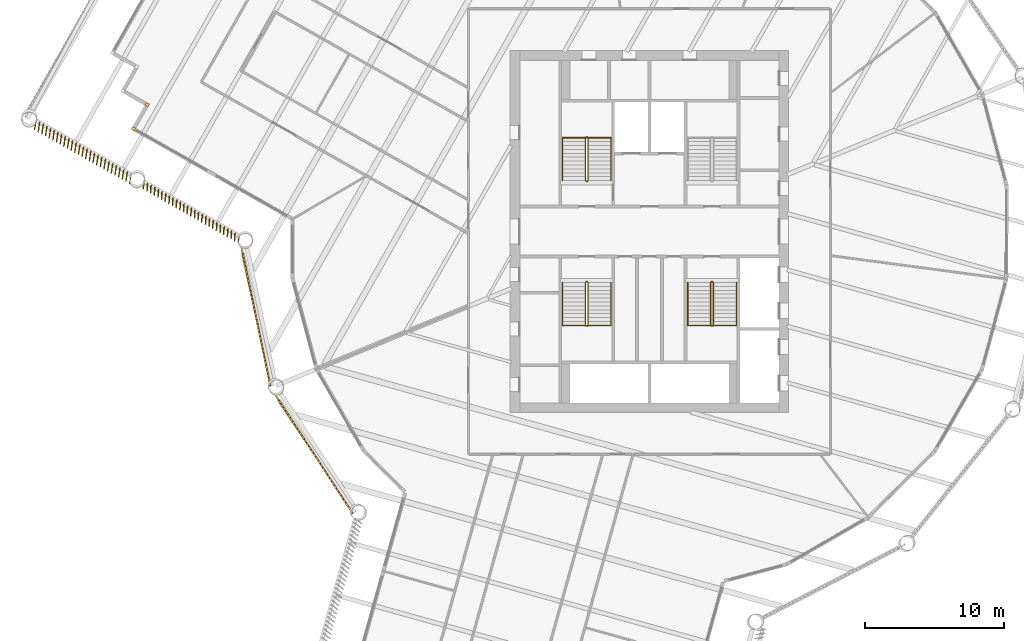
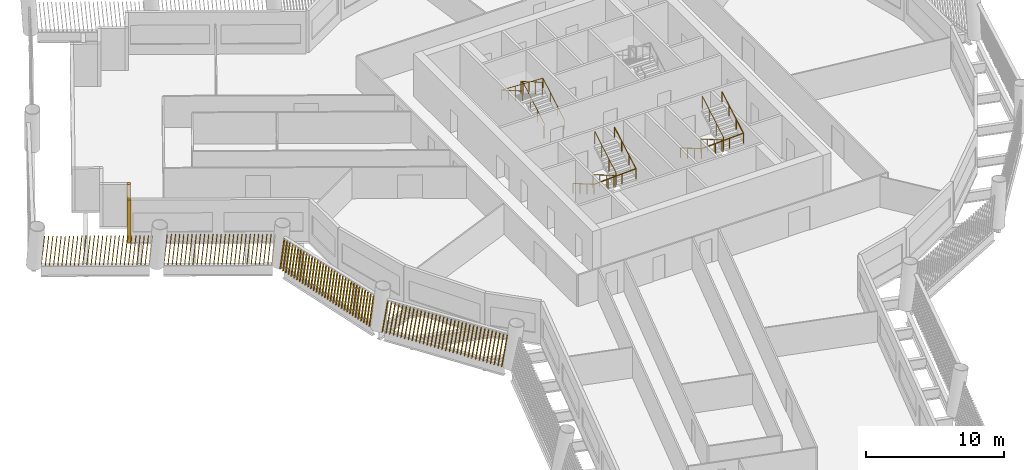
# One storey, part 12 of 15: 6 railings, 6 shading devices.
"""IFC4 building model written with IfcOpenShell, lengths in metres."""

from ifc_helpers import new_model, si_unit, direction, frame, frame_2d, origin, origin_2d, place, context, subcontext, project, spatial, rectangle, circle, composite_profile, extrude, material, type_object, element, save


model = new_model("IFC4")

# Units and contexts
model_context = context("Model", 3, precision=1e-05, world=origin(), true_north=direction((0.0, 1.0)))
body_context = subcontext(model_context, "Body", "Model", "MODEL_VIEW")
ifc_project = project(units=[si_unit("LENGTHUNIT", "METRE"), si_unit("AREAUNIT", "SQUARE_METRE"), si_unit("VOLUMEUNIT", "CUBIC_METRE"), si_unit("PLANEANGLEUNIT", "RADIAN"), si_unit("MASSUNIT", "GRAM", prefix="KILO")], contexts=[model_context])

# Site, building, storey
site_placement = place(None, origin())
site = spatial("IfcSite", under=ifc_project, at=site_placement, CompositionType="ELEMENT")
building_placement = place(site_placement, origin())
building = spatial("IfcBuilding", under=site, at=building_placement, Name="Tarsis Ring Headquarters", CompositionType="ELEMENT")
storey_placement = place(building_placement, frame((0.0, 0.0, 159.300048828125)))
storey = spatial("IfcBuildingStorey", under=building, at=storey_placement, Name="L36", CompositionType="ELEMENT", Elevation=159.300048828125)

# Railings
ifc_material_1 = material(Name="Steel S355", Category="steel")
railing_type_1 = type_object("IfcRailingType", Name="Core stair guard 1100", PredefinedType="GUARDRAIL", material=ifc_material_1)
railing_1_placement = place(storey_placement, frame((-4.5400390625, 3.610107421875, 0.0)))
element("IfcRailing", 1, at=railing_1_placement, inside=storey, type_object=railing_type_1, Name="L36 ST1 stair guard 1", PredefinedType="GUARDRAIL", context=body_context, shape_type="SweptSolid", body=[
    extrude(circle(Radius=0.02392578125, at=origin_2d()), frame((0.0, 0.0, 1.076171875), z_axis=(1.0, 0.0, 0.0), x_axis=(0.0, 1.0, 0.0)), (0.0, 0.0, 1.0), 0.080078125),
    extrude(circle(Radius=0.02392578125, at=origin_2d()), frame((0.080078125, 0.0, 1.076171875), z_axis=(0.282693820306, 0.281314826061, 0.917031173188), x_axis=(-0.705375805398, 0.708833529934, 0.0)), (0.0, 0.0, 1.0), 0.177001953125),
    extrude(circle(Radius=0.02392578125, at=origin_2d()), frame((0.130126953125, 0.0498046875, 1.23828125), z_axis=(0.0, 0.864890721111, 0.501960198159), x_axis=(-1.0, 0.0, 0.0)), (0.0, 0.0, 1.0), 3.561279296875),
    extrude(circle(Radius=0.02392578125, at=origin_2d()), frame((0.130126953125, 3.1298828125, 3.02587890625), z_axis=(-0.707106781187, 0.707106781187, 0.0), x_axis=(-0.707106781187, -0.707106781187, 0.0)), (0.0, 0.0, 1.0), 0.07080078125),
    extrude(circle(Radius=0.02392578125, at=origin_2d()), frame((0.080078125, 3.179931640625, 3.02587890625), z_axis=(-1.0, 0.0, 0.0), x_axis=(0.0, -1.0, 0.0)), (0.0, 0.0, 1.0), 0.080078125),
    extrude(circle(Radius=0.02392578125, at=origin_2d()), frame((0.0, 3.179931640625, 3.02587890625), z_axis=(-0.282227285176, -0.282227285176, 0.916894497205), x_axis=(0.707106781187, -0.707106781187, 0.0)), (0.0, 0.0, 1.0), 0.17724609375),
    extrude(circle(Radius=0.02392578125, at=origin_2d()), frame((-0.050048828125, 3.1298828125, 3.1884765625), z_axis=(0.0, -0.864920483161, 0.501908913857), x_axis=(1.0, 0.0, 0.0)), (0.0, 0.0, 1.0), 3.56103515625),
    extrude(circle(Radius=0.02099609375, at=origin_2d()), origin(), (0.0, 0.0, 1.0), 1.052001953125),
    extrude(circle(Radius=0.02099609375, at=origin_2d()), frame((0.080078125, 0.0, 0.0)), (0.0, 0.0, 1.0), 1.052001953125),
    extrude(circle(Radius=0.02099609375, at=origin_2d()), frame((0.130126953125, 0.0498046875, 0.162353515625)), (0.0, 0.0, 1.0), 1.052001953125),
    extrude(circle(Radius=0.02099609375, at=origin_2d()), frame((0.130126953125, 1.076416015625, 0.75830078125)), (0.0, 0.0, 1.0), 1.052001953125),
    extrude(circle(Radius=0.02099609375, at=origin_2d()), frame((0.130126953125, 2.103271484375, 1.35400390625)), (0.0, 0.0, 1.0), 1.052001953125),
    extrude(circle(Radius=0.02099609375, at=origin_2d()), frame((0.130126953125, 3.1298828125, 1.949951171875)), (0.0, 0.0, 1.0), 1.052001953125),
    extrude(circle(Radius=0.02099609375, at=origin_2d()), frame((0.080078125, 3.179931640625, 1.949951171875)), (0.0, 0.0, 1.0), 1.052001953125),
    extrude(circle(Radius=0.02099609375, at=origin_2d()), frame((0.0, 3.179931640625, 1.949951171875)), (0.0, 0.0, 1.0), 1.052001953125),
    extrude(circle(Radius=0.02099609375, at=origin_2d()), frame((-0.050048828125, 3.1298828125, 2.112548828125)), (0.0, 0.0, 1.0), 1.052001953125),
    extrude(circle(Radius=0.02099609375, at=origin_2d()), frame((-0.050048828125, 2.103271484375, 2.708251953125)), (0.0, 0.0, 1.0), 1.052001953125),
    extrude(circle(Radius=0.02099609375, at=origin_2d()), frame((-0.050048828125, 1.076416015625, 3.30419921875)), (0.0, 0.0, 1.0), 1.052001953125),
    extrude(circle(Radius=0.02099609375, at=origin_2d()), frame((-0.050048828125, 0.0498046875, 3.89990234375)), (0.0, 0.0, 1.0), 1.052001953125),
])
railing_2_placement = place(storey_placement, frame((-4.4599609375, -3.610107421875, 0.0)))
element("IfcRailing", 2, at=railing_2_placement, inside=storey, type_object=railing_type_1, Name="L36 ST3 stair guard 1", PredefinedType="GUARDRAIL", context=body_context, shape_type="SweptSolid", body=[
    extrude(circle(Radius=0.02392578125, at=origin_2d()), frame((0.0, 0.0, 1.076171875), z_axis=(-1.0, 0.0, 0.0), x_axis=(0.0, -1.0, 0.0)), (0.0, 0.0, 1.0), 0.080078125),
    extrude(circle(Radius=0.02392578125, at=origin_2d()), frame((-0.080078125, 0.0, 1.076171875), z_axis=(-0.282693820306, -0.281314826061, 0.917031173188), x_axis=(0.705375805398, -0.708833529934, 0.0)), (0.0, 0.0, 1.0), 0.177001953125),
    extrude(circle(Radius=0.02392578125, at=origin_2d()), frame((-0.130126953125, -0.0498046875, 1.23828125), z_axis=(0.0, -0.864890721111, 0.501960198159), x_axis=(1.0, 0.0, 0.0)), (0.0, 0.0, 1.0), 3.561279296875),
    extrude(circle(Radius=0.02392578125, at=origin_2d()), frame((-0.130126953125, -3.1298828125, 3.02587890625), z_axis=(0.707106781187, -0.707106781187, 0.0), x_axis=(0.707106781187, 0.707106781187, 0.0)), (0.0, 0.0, 1.0), 0.07080078125),
    extrude(circle(Radius=0.02392578125, at=origin_2d()), frame((-0.080078125, -3.179931640625, 3.02587890625), z_axis=(1.0, 0.0, 0.0), x_axis=(0.0, 1.0, 0.0)), (0.0, 0.0, 1.0), 0.080078125),
    extrude(circle(Radius=0.02392578125, at=origin_2d()), frame((0.0, -3.179931640625, 3.02587890625), z_axis=(0.282227285176, 0.282227285176, 0.916894497205), x_axis=(-0.707106781187, 0.707106781187, 0.0)), (0.0, 0.0, 1.0), 0.17724609375),
    extrude(circle(Radius=0.02392578125, at=origin_2d()), frame((0.050048828125, -3.1298828125, 3.1884765625), z_axis=(0.0, 0.864920483161, 0.501908913857), x_axis=(-1.0, 0.0, 0.0)), (0.0, 0.0, 1.0), 3.56103515625),
    extrude(circle(Radius=0.02099609375, at=origin_2d()), origin(), (0.0, 0.0, 1.0), 1.052001953125),
    extrude(circle(Radius=0.02099609375, at=origin_2d()), frame((-0.080078125, 0.0, 0.0)), (0.0, 0.0, 1.0), 1.052001953125),
    extrude(circle(Radius=0.02099609375, at=origin_2d()), frame((-0.130126953125, -0.0498046875, 0.162353515625)), (0.0, 0.0, 1.0), 1.052001953125),
    extrude(circle(Radius=0.02099609375, at=origin_2d()), frame((-0.130126953125, -1.076416015625, 0.75830078125)), (0.0, 0.0, 1.0), 1.052001953125),
    extrude(circle(Radius=0.02099609375, at=origin_2d()), frame((-0.130126953125, -2.103271484375, 1.35400390625)), (0.0, 0.0, 1.0), 1.052001953125),
    extrude(circle(Radius=0.02099609375, at=origin_2d()), frame((-0.130126953125, -3.1298828125, 1.949951171875)), (0.0, 0.0, 1.0), 1.052001953125),
    extrude(circle(Radius=0.02099609375, at=origin_2d()), frame((-0.080078125, -3.179931640625, 1.949951171875)), (0.0, 0.0, 1.0), 1.052001953125),
    extrude(circle(Radius=0.02099609375, at=origin_2d()), frame((0.0, -3.179931640625, 1.949951171875)), (0.0, 0.0, 1.0), 1.052001953125),
    extrude(circle(Radius=0.02099609375, at=origin_2d()), frame((0.050048828125, -3.1298828125, 2.112548828125)), (0.0, 0.0, 1.0), 1.052001953125),
    extrude(circle(Radius=0.02099609375, at=origin_2d()), frame((0.050048828125, -2.103271484375, 2.708251953125)), (0.0, 0.0, 1.0), 1.052001953125),
    extrude(circle(Radius=0.02099609375, at=origin_2d()), frame((0.050048828125, -1.076416015625, 3.30419921875)), (0.0, 0.0, 1.0), 1.052001953125),
    extrude(circle(Radius=0.02099609375, at=origin_2d()), frame((0.050048828125, -0.0498046875, 3.89990234375)), (0.0, 0.0, 1.0), 1.052001953125),
])
railing_3_placement = place(storey_placement, frame((4.5400390625, -3.610107421875, 0.0)))
element("IfcRailing", 3, at=railing_3_placement, inside=storey, type_object=railing_type_1, Name="L36 ST4 stair guard 1", PredefinedType="GUARDRAIL", context=body_context, shape_type="SweptSolid", body=[
    extrude(circle(Radius=0.02392578125, at=origin_2d()), frame((0.0, 0.0, 1.076171875), z_axis=(-1.0, 0.0, 0.0), x_axis=(0.0, -1.0, 0.0)), (0.0, 0.0, 1.0), 0.080078125),
    extrude(circle(Radius=0.02392578125, at=origin_2d()), frame((-0.080078125, 0.0, 1.076171875), z_axis=(-0.282693820306, -0.281314826061, 0.917031173188), x_axis=(0.705375805398, -0.708833529934, 0.0)), (0.0, 0.0, 1.0), 0.177001953125),
    extrude(circle(Radius=0.02392578125, at=origin_2d()), frame((-0.130126953125, -0.0498046875, 1.23828125), z_axis=(0.0, -0.864890721111, 0.501960198159), x_axis=(1.0, 0.0, 0.0)), (0.0, 0.0, 1.0), 3.561279296875),
    extrude(circle(Radius=0.02392578125, at=origin_2d()), frame((-0.130126953125, -3.1298828125, 3.02587890625), z_axis=(0.707106781187, -0.707106781187, 0.0), x_axis=(0.707106781187, 0.707106781187, 0.0)), (0.0, 0.0, 1.0), 0.07080078125),
    extrude(circle(Radius=0.02392578125, at=origin_2d()), frame((-0.080078125, -3.179931640625, 3.02587890625), z_axis=(1.0, 0.0, 0.0), x_axis=(0.0, 1.0, 0.0)), (0.0, 0.0, 1.0), 0.080078125),
    extrude(circle(Radius=0.02392578125, at=origin_2d()), frame((0.0, -3.179931640625, 3.02587890625), z_axis=(0.282227285176, 0.282227285176, 0.916894497205), x_axis=(-0.707106781187, 0.707106781187, 0.0)), (0.0, 0.0, 1.0), 0.17724609375),
    extrude(circle(Radius=0.02392578125, at=origin_2d()), frame((0.050048828125, -3.1298828125, 3.1884765625), z_axis=(0.0, 0.864920483161, 0.501908913857), x_axis=(-1.0, 0.0, 0.0)), (0.0, 0.0, 1.0), 3.56103515625),
    extrude(circle(Radius=0.02099609375, at=origin_2d()), origin(), (0.0, 0.0, 1.0), 1.052001953125),
    extrude(circle(Radius=0.02099609375, at=origin_2d()), frame((-0.080078125, 0.0, 0.0)), (0.0, 0.0, 1.0), 1.052001953125),
    extrude(circle(Radius=0.02099609375, at=origin_2d()), frame((-0.130126953125, -0.0498046875, 0.162353515625)), (0.0, 0.0, 1.0), 1.052001953125),
    extrude(circle(Radius=0.02099609375, at=origin_2d()), frame((-0.130126953125, -1.076416015625, 0.75830078125)), (0.0, 0.0, 1.0), 1.052001953125),
    extrude(circle(Radius=0.02099609375, at=origin_2d()), frame((-0.130126953125, -2.103271484375, 1.35400390625)), (0.0, 0.0, 1.0), 1.052001953125),
    extrude(circle(Radius=0.02099609375, at=origin_2d()), frame((-0.130126953125, -3.1298828125, 1.949951171875)), (0.0, 0.0, 1.0), 1.052001953125),
    extrude(circle(Radius=0.02099609375, at=origin_2d()), frame((-0.080078125, -3.179931640625, 1.949951171875)), (0.0, 0.0, 1.0), 1.052001953125),
    extrude(circle(Radius=0.02099609375, at=origin_2d()), frame((0.0, -3.179931640625, 1.949951171875)), (0.0, 0.0, 1.0), 1.052001953125),
    extrude(circle(Radius=0.02099609375, at=origin_2d()), frame((0.050048828125, -3.1298828125, 2.112548828125)), (0.0, 0.0, 1.0), 1.052001953125),
    extrude(circle(Radius=0.02099609375, at=origin_2d()), frame((0.050048828125, -2.103271484375, 2.708251953125)), (0.0, 0.0, 1.0), 1.052001953125),
    extrude(circle(Radius=0.02099609375, at=origin_2d()), frame((0.050048828125, -1.076416015625, 3.30419921875)), (0.0, 0.0, 1.0), 1.052001953125),
    extrude(circle(Radius=0.02099609375, at=origin_2d()), frame((0.050048828125, -0.0498046875, 3.89990234375)), (0.0, 0.0, 1.0), 1.052001953125),
])
railing_type_2 = type_object("IfcRailingType", Name="Core stair handrail 900", PredefinedType="HANDRAIL", material=ifc_material_1)
railing_4_placement = place(storey_placement, frame((-2.75, 3.659912109375, 0.162353515625)))
element("IfcRailing", 4, at=railing_4_placement, inside=storey, type_object=railing_type_2, Name="L36 ST1 stair handrail 1", PredefinedType="HANDRAIL", context=body_context, shape_type="SweptSolid", body=[
    extrude(circle(Radius=0.02392578125, at=origin_2d()), frame((0.0, 0.0, 0.8759765625), z_axis=(0.0, 0.864890721111, 0.501960198159), x_axis=(-1.0, 0.0, 0.0)), (0.0, 0.0, 1.0), 3.561279296875),
    extrude(circle(Radius=0.02392578125, at=origin_2d()), frame((0.0, 3.080078125, 2.66357421875), z_axis=(-0.998922641604, 0.0, 0.046406422943), x_axis=(0.0, -1.0, 0.0)), (0.0, 0.0, 1.0), 3.503662109375),
    extrude(circle(Radius=0.02392578125, at=origin_2d()), frame((-3.5, 3.080078125, 2.826171875), z_axis=(0.0, -0.864920483161, 0.501908913857), x_axis=(1.0, 0.0, 0.0)), (0.0, 0.0, 1.0), 3.56103515625),
    extrude(circle(Radius=0.02099609375, at=origin_2d()), origin(), (0.0, 0.0, 1.0), 0.851806640625),
    extrude(circle(Radius=0.02099609375, at=origin_2d()), frame((0.0, 1.026611328125, 0.595947265625)), (0.0, 0.0, 1.0), 0.851806640625),
    extrude(circle(Radius=0.02099609375, at=origin_2d()), frame((0.0, 2.053466796875, 1.191650390625)), (0.0, 0.0, 1.0), 0.851806640625),
    extrude(circle(Radius=0.02099609375, at=origin_2d()), frame((0.0, 3.080078125, 1.78759765625)), (0.0, 0.0, 1.0), 0.851806640625),
    extrude(circle(Radius=0.02099609375, at=origin_2d()), frame((-1.166748046875, 3.080078125, 1.841796875)), (0.0, 0.0, 1.0), 0.851806640625),
    extrude(circle(Radius=0.02099609375, at=origin_2d()), frame((-2.333251953125, 3.080078125, 1.89599609375)), (0.0, 0.0, 1.0), 0.851806640625),
    extrude(circle(Radius=0.02099609375, at=origin_2d()), frame((-3.5, 3.080078125, 1.9501953125)), (0.0, 0.0, 1.0), 0.851806640625),
    extrude(circle(Radius=0.02099609375, at=origin_2d()), frame((-3.5, 2.053466796875, 2.5458984375)), (0.0, 0.0, 1.0), 0.851806640625),
    extrude(circle(Radius=0.02099609375, at=origin_2d()), frame((-3.5, 1.026611328125, 3.141845703125)), (0.0, 0.0, 1.0), 0.851806640625),
    extrude(circle(Radius=0.02099609375, at=origin_2d()), frame((-3.5, 0.0, 3.737548828125)), (0.0, 0.0, 1.0), 0.851806640625),
])
railing_5_placement = place(storey_placement, frame((-6.25, -3.659912109375, 0.162353515625)))
element("IfcRailing", 5, at=railing_5_placement, inside=storey, type_object=railing_type_2, Name="L36 ST3 stair handrail 1", PredefinedType="HANDRAIL", context=body_context, shape_type="SweptSolid", body=[
    extrude(circle(Radius=0.02392578125, at=origin_2d()), frame((0.0, 0.0, 0.8759765625), z_axis=(0.0, -0.864890721111, 0.501960198159), x_axis=(1.0, 0.0, 0.0)), (0.0, 0.0, 1.0), 3.561279296875),
    extrude(circle(Radius=0.02392578125, at=origin_2d()), frame((0.0, -3.080078125, 2.66357421875), z_axis=(0.998922641604, 0.0, 0.046406422943), x_axis=(0.0, 1.0, 0.0)), (0.0, 0.0, 1.0), 3.503662109375),
    extrude(circle(Radius=0.02392578125, at=origin_2d()), frame((3.5, -3.080078125, 2.826171875), z_axis=(0.0, 0.864920483161, 0.501908913857), x_axis=(-1.0, 0.0, 0.0)), (0.0, 0.0, 1.0), 3.56103515625),
    extrude(circle(Radius=0.02099609375, at=origin_2d()), origin(), (0.0, 0.0, 1.0), 0.851806640625),
    extrude(circle(Radius=0.02099609375, at=origin_2d()), frame((0.0, -1.026611328125, 0.595947265625)), (0.0, 0.0, 1.0), 0.851806640625),
    extrude(circle(Radius=0.02099609375, at=origin_2d()), frame((0.0, -2.053466796875, 1.191650390625)), (0.0, 0.0, 1.0), 0.851806640625),
    extrude(circle(Radius=0.02099609375, at=origin_2d()), frame((0.0, -3.080078125, 1.78759765625)), (0.0, 0.0, 1.0), 0.851806640625),
    extrude(circle(Radius=0.02099609375, at=origin_2d()), frame((1.166748046875, -3.080078125, 1.841796875)), (0.0, 0.0, 1.0), 0.851806640625),
    extrude(circle(Radius=0.02099609375, at=origin_2d()), frame((2.333251953125, -3.080078125, 1.89599609375)), (0.0, 0.0, 1.0), 0.851806640625),
    extrude(circle(Radius=0.02099609375, at=origin_2d()), frame((3.5, -3.080078125, 1.9501953125)), (0.0, 0.0, 1.0), 0.851806640625),
    extrude(circle(Radius=0.02099609375, at=origin_2d()), frame((3.5, -2.053466796875, 2.5458984375)), (0.0, 0.0, 1.0), 0.851806640625),
    extrude(circle(Radius=0.02099609375, at=origin_2d()), frame((3.5, -1.026611328125, 3.141845703125)), (0.0, 0.0, 1.0), 0.851806640625),
    extrude(circle(Radius=0.02099609375, at=origin_2d()), frame((3.5, 0.0, 3.737548828125)), (0.0, 0.0, 1.0), 0.851806640625),
])
railing_6_placement = place(storey_placement, frame((2.75, -3.659912109375, 0.162353515625)))
element("IfcRailing", 6, at=railing_6_placement, inside=storey, type_object=railing_type_2, Name="L36 ST4 stair handrail 1", PredefinedType="HANDRAIL", context=body_context, shape_type="SweptSolid", body=[
    extrude(circle(Radius=0.02392578125, at=origin_2d()), frame((0.0, 0.0, 0.8759765625), z_axis=(0.0, -0.864890721111, 0.501960198159), x_axis=(1.0, 0.0, 0.0)), (0.0, 0.0, 1.0), 3.561279296875),
    extrude(circle(Radius=0.02392578125, at=origin_2d()), frame((0.0, -3.080078125, 2.66357421875), z_axis=(0.998922641604, 0.0, 0.046406422943), x_axis=(0.0, 1.0, 0.0)), (0.0, 0.0, 1.0), 3.503662109375),
    extrude(circle(Radius=0.02392578125, at=origin_2d()), frame((3.5, -3.080078125, 2.826171875), z_axis=(0.0, 0.864920483161, 0.501908913857), x_axis=(-1.0, 0.0, 0.0)), (0.0, 0.0, 1.0), 3.56103515625),
    extrude(circle(Radius=0.02099609375, at=origin_2d()), origin(), (0.0, 0.0, 1.0), 0.851806640625),
    extrude(circle(Radius=0.02099609375, at=origin_2d()), frame((0.0, -1.026611328125, 0.595947265625)), (0.0, 0.0, 1.0), 0.851806640625),
    extrude(circle(Radius=0.02099609375, at=origin_2d()), frame((0.0, -2.053466796875, 1.191650390625)), (0.0, 0.0, 1.0), 0.851806640625),
    extrude(circle(Radius=0.02099609375, at=origin_2d()), frame((0.0, -3.080078125, 1.78759765625)), (0.0, 0.0, 1.0), 0.851806640625),
    extrude(circle(Radius=0.02099609375, at=origin_2d()), frame((1.166748046875, -3.080078125, 1.841796875)), (0.0, 0.0, 1.0), 0.851806640625),
    extrude(circle(Radius=0.02099609375, at=origin_2d()), frame((2.333251953125, -3.080078125, 1.89599609375)), (0.0, 0.0, 1.0), 0.851806640625),
    extrude(circle(Radius=0.02099609375, at=origin_2d()), frame((3.5, -3.080078125, 1.9501953125)), (0.0, 0.0, 1.0), 0.851806640625),
    extrude(circle(Radius=0.02099609375, at=origin_2d()), frame((3.5, -2.053466796875, 2.5458984375)), (0.0, 0.0, 1.0), 0.851806640625),
    extrude(circle(Radius=0.02099609375, at=origin_2d()), frame((3.5, -1.026611328125, 3.141845703125)), (0.0, 0.0, 1.0), 0.851806640625),
    extrude(circle(Radius=0.02099609375, at=origin_2d()), frame((3.5, 0.0, 3.737548828125)), (0.0, 0.0, 1.0), 0.851806640625),
])

# Shading devices
ifc_material_2 = material(Name="Terracotta baguette", Category="masonry")
shading_device_type_1 = type_object("IfcShadingDeviceType", Name="Terracotta baguette screen", PredefinedType="USERDEFINED", material=ifc_material_2)
shading_device_1_placement = place(storey_placement, frame((-26.889892578125, -11.7119140625, 0.0), z_axis=(0.0, 0.0, 1.0), x_axis=(0.546483447845, -0.837476577139, 0.0)))
element("IfcShadingDevice", 7, at=shading_device_1_placement, inside=storey, type_object=shading_device_type_1, Name="Baguette screen L36-00", ObjectType="Terracotta baguette screen", PredefinedType="USERDEFINED", context=body_context, shape_type="SweptSolid", body=[
    extrude(composite_profile([rectangle(XDim=0.06005859375, YDim=0.1201171875, at=frame_2d((0.030029296875, 0.0))), rectangle(XDim=0.06005859375, YDim=0.1201171875, at=frame_2d((0.33349609375, 0.0))), rectangle(XDim=0.06005859375, YDim=0.1201171875, at=frame_2d((0.636962890625, 0.0))), rectangle(XDim=0.06005859375, YDim=0.1201171875, at=frame_2d((0.9404296875, 0.0))), rectangle(XDim=0.06005859375, YDim=0.1201171875, at=frame_2d((1.243896484375, 0.0))), rectangle(XDim=0.06005859375, YDim=0.1201171875, at=frame_2d((1.54736328125, 0.0))), rectangle(XDim=0.06005859375, YDim=0.1201171875, at=frame_2d((1.85107421875, 0.0))), rectangle(XDim=0.06005859375, YDim=0.1201171875, at=frame_2d((2.154541015625, 0.0))), rectangle(XDim=0.06005859375, YDim=0.1201171875, at=frame_2d((2.4580078125, 0.0))), rectangle(XDim=0.06005859375, YDim=0.1201171875, at=frame_2d((2.761474609375, 0.0))), rectangle(XDim=0.06005859375, YDim=0.1201171875, at=frame_2d((3.06494140625, 0.0))), rectangle(XDim=0.06005859375, YDim=0.1201171875, at=frame_2d((3.368408203125, 0.0))), rectangle(XDim=0.06005859375, YDim=0.1201171875, at=frame_2d((3.671875, 0.0))), rectangle(XDim=0.06005859375, YDim=0.1201171875, at=frame_2d((3.975341796875, 0.0))), rectangle(XDim=0.06005859375, YDim=0.1201171875, at=frame_2d((4.27880859375, 0.0))), rectangle(XDim=0.06005859375, YDim=0.1201171875, at=frame_2d((4.582275390625, 0.0))), rectangle(XDim=0.06005859375, YDim=0.1201171875, at=frame_2d((4.8857421875, 0.0))), rectangle(XDim=0.06005859375, YDim=0.1201171875, at=frame_2d((5.189453125, 0.0))), rectangle(XDim=0.06005859375, YDim=0.1201171875, at=frame_2d((5.492919921875, 0.0))), rectangle(XDim=0.06005859375, YDim=0.1201171875, at=frame_2d((5.79638671875, 0.0))), rectangle(XDim=0.06005859375, YDim=0.1201171875, at=frame_2d((6.099853515625, 0.0))), rectangle(XDim=0.06005859375, YDim=0.1201171875, at=frame_2d((6.4033203125, 0.0))), rectangle(XDim=0.06005859375, YDim=0.1201171875, at=frame_2d((6.706787109375, 0.0))), rectangle(XDim=0.06005859375, YDim=0.1201171875, at=frame_2d((7.01025390625, 0.0))), rectangle(XDim=0.06005859375, YDim=0.1201171875, at=frame_2d((7.313720703125, 0.0))), rectangle(XDim=0.06005859375, YDim=0.1201171875, at=frame_2d((7.6171875, 0.0))), rectangle(XDim=0.06005859375, YDim=0.1201171875, at=frame_2d((7.920654296875, 0.0))), rectangle(XDim=0.06005859375, YDim=0.1201171875, at=frame_2d((8.224365234375, 0.0))), rectangle(XDim=0.06005859375, YDim=0.1201171875, at=frame_2d((8.52783203125, 0.0))), rectangle(XDim=0.06005859375, YDim=0.1201171875, at=frame_2d((8.831298828125, 0.0))), rectangle(XDim=0.06005859375, YDim=0.1201171875, at=frame_2d((9.134765625, 0.0))), rectangle(XDim=0.06005859375, YDim=0.1201171875, at=frame_2d((9.438232421875, 0.0))), rectangle(XDim=0.06005859375, YDim=0.1201171875, at=frame_2d((9.74169921875, 0.0)))]), origin(), (0.15219383941, 0.001193031596, 0.988349944059), 2.984619140625),
])
shading_device_2_placement = place(storey_placement, frame((-44.095458984375, 7.994384765625, 0.0), z_axis=(0.0, 0.0, 1.0), x_axis=(0.86983656193, -0.49334198412, 0.0)))
element("IfcShadingDevice", 8, at=shading_device_2_placement, inside=storey, type_object=shading_device_type_1, Name="Baguette screen L36-19", ObjectType="Terracotta baguette screen", PredefinedType="USERDEFINED", context=body_context, shape_type="SweptSolid", body=[
    extrude(composite_profile([rectangle(XDim=0.06005859375, YDim=0.1201171875, at=frame_2d((0.030029296875, 0.0))), rectangle(XDim=0.06005859375, YDim=0.1201171875, at=frame_2d((0.33154296875, 0.0))), rectangle(XDim=0.06005859375, YDim=0.1201171875, at=frame_2d((0.63330078125, 0.0))), rectangle(XDim=0.06005859375, YDim=0.1201171875, at=frame_2d((0.934814453125, 0.0))), rectangle(XDim=0.06005859375, YDim=0.1201171875, at=frame_2d((1.236572265625, 0.0))), rectangle(XDim=0.06005859375, YDim=0.1201171875, at=frame_2d((1.5380859375, 0.0))), rectangle(XDim=0.06005859375, YDim=0.1201171875, at=frame_2d((1.83984375, 0.0))), rectangle(XDim=0.06005859375, YDim=0.1201171875, at=frame_2d((2.141357421875, 0.0))), rectangle(XDim=0.06005859375, YDim=0.1201171875, at=frame_2d((2.443115234375, 0.0))), rectangle(XDim=0.06005859375, YDim=0.1201171875, at=frame_2d((2.74462890625, 0.0))), rectangle(XDim=0.06005859375, YDim=0.1201171875, at=frame_2d((3.04638671875, 0.0))), rectangle(XDim=0.06005859375, YDim=0.1201171875, at=frame_2d((3.347900390625, 0.0))), rectangle(XDim=0.06005859375, YDim=0.1201171875, at=frame_2d((3.649658203125, 0.0))), rectangle(XDim=0.06005859375, YDim=0.1201171875, at=frame_2d((3.951171875, 0.0))), rectangle(XDim=0.06005859375, YDim=0.1201171875, at=frame_2d((4.252685546875, 0.0))), rectangle(XDim=0.06005859375, YDim=0.1201171875, at=frame_2d((4.554443359375, 0.0))), rectangle(XDim=0.06005859375, YDim=0.1201171875, at=frame_2d((4.85595703125, 0.0))), rectangle(XDim=0.06005859375, YDim=0.1201171875, at=frame_2d((5.15771484375, 0.0))), rectangle(XDim=0.06005859375, YDim=0.1201171875, at=frame_2d((5.459228515625, 0.0))), rectangle(XDim=0.06005859375, YDim=0.1201171875, at=frame_2d((5.760986328125, 0.0))), rectangle(XDim=0.06005859375, YDim=0.1201171875, at=frame_2d((6.0625, 0.0))), rectangle(XDim=0.06005859375, YDim=0.1201171875, at=frame_2d((6.3642578125, 0.0))), rectangle(XDim=0.06005859375, YDim=0.1201171875, at=frame_2d((6.665771484375, 0.0))), rectangle(XDim=0.06005859375, YDim=0.1201171875, at=frame_2d((6.967529296875, 0.0))), rectangle(XDim=0.06005859375, YDim=0.1201171875, at=frame_2d((7.26904296875, 0.0))), rectangle(XDim=0.06005859375, YDim=0.1201171875, at=frame_2d((7.57080078125, 0.0))), rectangle(XDim=0.06005859375, YDim=0.1201171875, at=frame_2d((7.872314453125, 0.0)))]), origin(), (0.078550097915, -0.198865492424, 0.976873788184), 3.019775390625),
])
shading_device_3_placement = place(storey_placement, frame((-36.35205078125, 3.6025390625, 0.0), z_axis=(0.0, 0.0, 1.0), x_axis=(0.869840583292, -0.493326742462, 0.0)))
element("IfcShadingDevice", 9, at=shading_device_3_placement, inside=storey, type_object=shading_device_type_1, Name="Baguette screen L36-20", ObjectType="Terracotta baguette screen", PredefinedType="USERDEFINED", context=body_context, shape_type="SweptSolid", body=[
    extrude(composite_profile([rectangle(XDim=0.06005859375, YDim=0.1201171875, at=frame_2d((0.030029296875, 0.0))), rectangle(XDim=0.06005859375, YDim=0.1201171875, at=frame_2d((0.33154296875, 0.0))), rectangle(XDim=0.06005859375, YDim=0.1201171875, at=frame_2d((0.63330078125, 0.0))), rectangle(XDim=0.06005859375, YDim=0.1201171875, at=frame_2d((0.934814453125, 0.0))), rectangle(XDim=0.06005859375, YDim=0.1201171875, at=frame_2d((1.236572265625, 0.0))), rectangle(XDim=0.06005859375, YDim=0.1201171875, at=frame_2d((1.5380859375, 0.0))), rectangle(XDim=0.06005859375, YDim=0.1201171875, at=frame_2d((1.83984375, 0.0))), rectangle(XDim=0.06005859375, YDim=0.1201171875, at=frame_2d((2.141357421875, 0.0))), rectangle(XDim=0.06005859375, YDim=0.1201171875, at=frame_2d((2.443115234375, 0.0))), rectangle(XDim=0.06005859375, YDim=0.1201171875, at=frame_2d((2.74462890625, 0.0))), rectangle(XDim=0.06005859375, YDim=0.1201171875, at=frame_2d((3.04638671875, 0.0))), rectangle(XDim=0.06005859375, YDim=0.1201171875, at=frame_2d((3.347900390625, 0.0))), rectangle(XDim=0.06005859375, YDim=0.1201171875, at=frame_2d((3.649658203125, 0.0))), rectangle(XDim=0.06005859375, YDim=0.1201171875, at=frame_2d((3.951171875, 0.0))), rectangle(XDim=0.06005859375, YDim=0.1201171875, at=frame_2d((4.252685546875, 0.0))), rectangle(XDim=0.06005859375, YDim=0.1201171875, at=frame_2d((4.554443359375, 0.0))), rectangle(XDim=0.06005859375, YDim=0.1201171875, at=frame_2d((4.85595703125, 0.0))), rectangle(XDim=0.06005859375, YDim=0.1201171875, at=frame_2d((5.15771484375, 0.0))), rectangle(XDim=0.06005859375, YDim=0.1201171875, at=frame_2d((5.459228515625, 0.0))), rectangle(XDim=0.06005859375, YDim=0.1201171875, at=frame_2d((5.760986328125, 0.0))), rectangle(XDim=0.06005859375, YDim=0.1201171875, at=frame_2d((6.0625, 0.0))), rectangle(XDim=0.06005859375, YDim=0.1201171875, at=frame_2d((6.3642578125, 0.0))), rectangle(XDim=0.06005859375, YDim=0.1201171875, at=frame_2d((6.665771484375, 0.0))), rectangle(XDim=0.06005859375, YDim=0.1201171875, at=frame_2d((6.967529296875, 0.0))), rectangle(XDim=0.06005859375, YDim=0.1201171875, at=frame_2d((7.26904296875, 0.0))), rectangle(XDim=0.06005859375, YDim=0.1201171875, at=frame_2d((7.57080078125, 0.0))), rectangle(XDim=0.06005859375, YDim=0.1201171875, at=frame_2d((7.872314453125, 0.0)))]), origin(), (0.078829709162, -0.153822372482, 0.984949011207), 2.9951171875),
])
shading_device_4_placement = place(storey_placement, frame((-29.308837890625, -1.1083984375, 0.0), z_axis=(0.0, 0.0, 1.0), x_axis=(0.203747657714, -0.979013116802, 0.0)))
element("IfcShadingDevice", 10, at=shading_device_4_placement, inside=storey, type_object=shading_device_type_1, Name="Baguette screen L36-21", ObjectType="Terracotta baguette screen", PredefinedType="USERDEFINED", context=body_context, shape_type="SweptSolid", body=[
    extrude(composite_profile([rectangle(XDim=0.06005859375, YDim=0.1201171875, at=frame_2d((0.030029296875, 0.0))), rectangle(XDim=0.06005859375, YDim=0.1201171875, at=frame_2d((0.33349609375, 0.0))), rectangle(XDim=0.06005859375, YDim=0.1201171875, at=frame_2d((0.636962890625, 0.0))), rectangle(XDim=0.06005859375, YDim=0.1201171875, at=frame_2d((0.9404296875, 0.0))), rectangle(XDim=0.06005859375, YDim=0.1201171875, at=frame_2d((1.243896484375, 0.0))), rectangle(XDim=0.06005859375, YDim=0.1201171875, at=frame_2d((1.54736328125, 0.0))), rectangle(XDim=0.06005859375, YDim=0.1201171875, at=frame_2d((1.85107421875, 0.0))), rectangle(XDim=0.06005859375, YDim=0.1201171875, at=frame_2d((2.154541015625, 0.0))), rectangle(XDim=0.06005859375, YDim=0.1201171875, at=frame_2d((2.4580078125, 0.0))), rectangle(XDim=0.06005859375, YDim=0.1201171875, at=frame_2d((2.761474609375, 0.0))), rectangle(XDim=0.06005859375, YDim=0.1201171875, at=frame_2d((3.06494140625, 0.0))), rectangle(XDim=0.06005859375, YDim=0.1201171875, at=frame_2d((3.368408203125, 0.0))), rectangle(XDim=0.06005859375, YDim=0.1201171875, at=frame_2d((3.671875, 0.0))), rectangle(XDim=0.06005859375, YDim=0.1201171875, at=frame_2d((3.975341796875, 0.0))), rectangle(XDim=0.06005859375, YDim=0.1201171875, at=frame_2d((4.27880859375, 0.0))), rectangle(XDim=0.06005859375, YDim=0.1201171875, at=frame_2d((4.582275390625, 0.0))), rectangle(XDim=0.06005859375, YDim=0.1201171875, at=frame_2d((4.8857421875, 0.0))), rectangle(XDim=0.06005859375, YDim=0.1201171875, at=frame_2d((5.189453125, 0.0))), rectangle(XDim=0.06005859375, YDim=0.1201171875, at=frame_2d((5.492919921875, 0.0))), rectangle(XDim=0.06005859375, YDim=0.1201171875, at=frame_2d((5.79638671875, 0.0))), rectangle(XDim=0.06005859375, YDim=0.1201171875, at=frame_2d((6.099853515625, 0.0))), rectangle(XDim=0.06005859375, YDim=0.1201171875, at=frame_2d((6.4033203125, 0.0))), rectangle(XDim=0.06005859375, YDim=0.1201171875, at=frame_2d((6.706787109375, 0.0))), rectangle(XDim=0.06005859375, YDim=0.1201171875, at=frame_2d((7.01025390625, 0.0))), rectangle(XDim=0.06005859375, YDim=0.1201171875, at=frame_2d((7.313720703125, 0.0))), rectangle(XDim=0.06005859375, YDim=0.1201171875, at=frame_2d((7.6171875, 0.0))), rectangle(XDim=0.06005859375, YDim=0.1201171875, at=frame_2d((7.920654296875, 0.0))), rectangle(XDim=0.06005859375, YDim=0.1201171875, at=frame_2d((8.224365234375, 0.0))), rectangle(XDim=0.06005859375, YDim=0.1201171875, at=frame_2d((8.52783203125, 0.0))), rectangle(XDim=0.06005859375, YDim=0.1201171875, at=frame_2d((8.831298828125, 0.0))), rectangle(XDim=0.06005859375, YDim=0.1201171875, at=frame_2d((9.134765625, 0.0))), rectangle(XDim=0.06005859375, YDim=0.1201171875, at=frame_2d((9.438232421875, 0.0))), rectangle(XDim=0.06005859375, YDim=0.1201171875, at=frame_2d((9.74169921875, 0.0)))]), origin(), (0.152191427241, 0.0011919108, 0.988350316853), 2.984619140625),
])
shading_device_type_2 = type_object("IfcShadingDeviceType", Name="Terracotta corner baguette 250x250", PredefinedType="USERDEFINED", material=ifc_material_2)
for number, where, z_axis, x_axis, name in (
    (11, (-37.06396484375, 7.369140625, 0.0), (0.0, 0.0, 1.0), (-0.493334572473, -0.869839640165, 0.0), "Corner baguette L36-01"),
    (12, (-36.0771484375, 9.108642578125, 0.0), (0.0, 0.0, 1.0), (0.869839545452, -0.493334739471, 0.0), "Corner baguette L36-40"),
):
    element("IfcShadingDevice", number, at=place(storey_placement, frame(where, z_axis=z_axis, x_axis=x_axis)), inside=storey, type_object=shading_device_type_2, Name=name, ObjectType="Terracotta corner baguette", PredefinedType="USERDEFINED", context=body_context, shape_type="SweptSolid", body=[
        extrude(rectangle(XDim=0.25, YDim=0.25, at=origin_2d()), origin(), (0.0, 0.0, 1.0), 3.739990234375),
    ])

save(model, "model.ifc")
